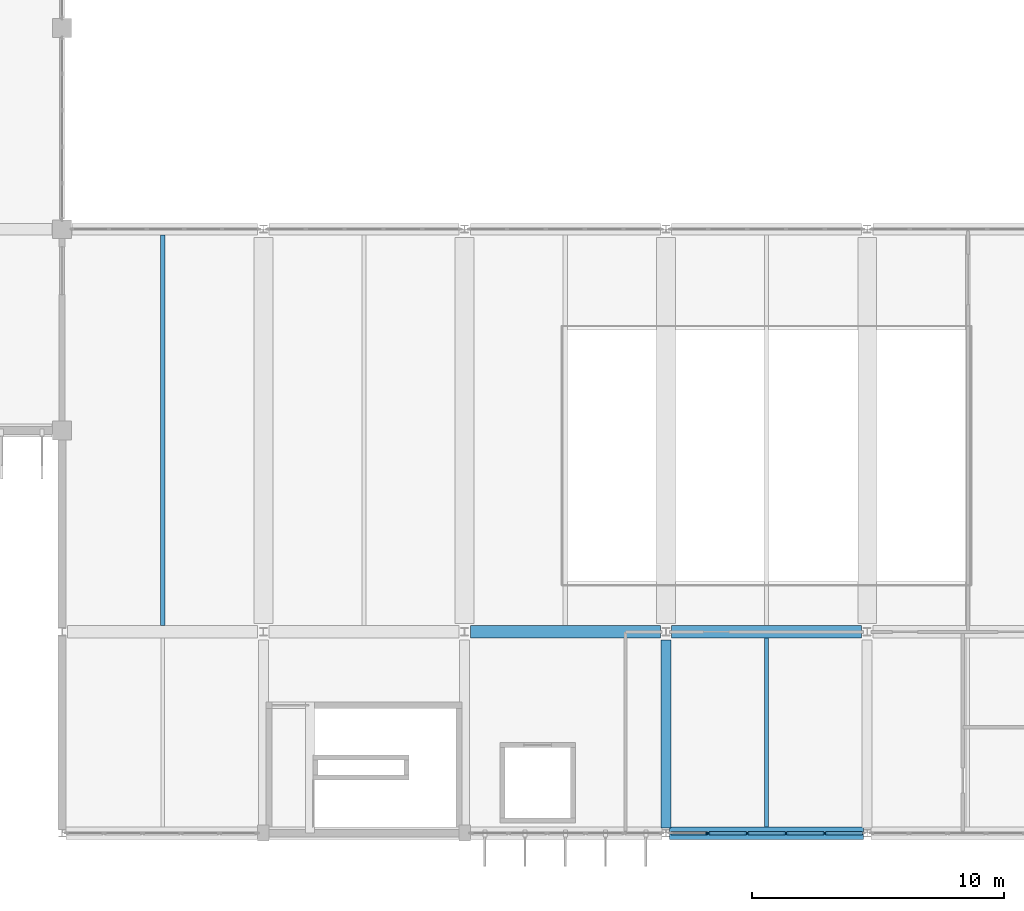
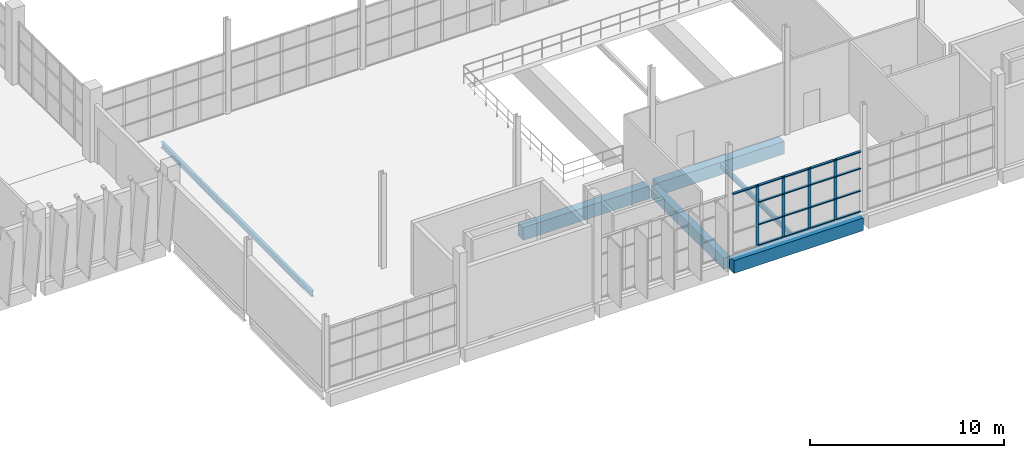
# One storey, part 18 of 93: 21 members, 6 beams, 1 element without a shape of its own.
"""IFC4 building model written with IfcOpenShell, lengths in metres."""

from ifc_helpers import new_model, si_unit, direction, frame, origin, origin_2d, place, context, subcontext, project, spatial, rectangle, i_section, extrude, material, layer, layer_set, material_profile, profile_set, type_object, element, aggregate, save


model = new_model("IFC4")

# Units and contexts
model_context = context("Model", 3, precision=1e-05, world=origin(), true_north=direction((0.0, 1.0)))
body_context = subcontext(model_context, "Body", "Model", "MODEL_VIEW")
ifc_project = project(units=[si_unit("LENGTHUNIT", "METRE"), si_unit("AREAUNIT", "SQUARE_METRE"), si_unit("VOLUMEUNIT", "CUBIC_METRE"), si_unit("PLANEANGLEUNIT", "RADIAN"), si_unit("MASSUNIT", "GRAM", prefix="KILO")], contexts=[model_context])

# Site, building, storey
site_placement = place(None, origin())
site = spatial("IfcSite", under=ifc_project, at=site_placement, CompositionType="ELEMENT")
building_placement = place(site_placement, origin())
building = spatial("IfcBuilding", under=site, at=building_placement, Name="Drelvana Railside Aquatics Centre", CompositionType="ELEMENT")
storey_placement = place(building_placement, frame((0.0, 0.0, 5.39990234375)))
storey = spatial("IfcBuildingStorey", under=building, at=storey_placement, Name="L01", CompositionType="ELEMENT", Elevation=5.39990234375)

# Curtain wall, members
ifc_material_1 = material(Name="Bronze-anodised aluminium curtain wall", Category="aluminium")
ifc_layer = layer(ifc_material_1, 0.18994140625, Name="Bronze-anodised aluminium curtain wall")
ifc_layer_set = layer_set([ifc_layer], Name="Bronze-anodised aluminium curtain wall")
curtain_wall_type = type_object("IfcCurtainWallType", Name="CW-Z4-FOYER", PredefinedType="NOTDEFINED", material=ifc_layer_set)
curtain_wall_placement = place(storey_placement, origin())
curtain_wall = element("IfcCurtainWall", 1, at=curtain_wall_placement, inside=storey, type_object=curtain_wall_type, Name="Curtain wall CW-04-108", PredefinedType="NOTDEFINED")
ifc_material_2 = material(Name="Bronze-anodised aluminium 6063-T6", Category="aluminium")
ifc_material_profile_1 = material_profile(ifc_material_2, rectangle(XDim=0.06494140625, YDim=0.175048828125, at=origin_2d()), Name="ALU-M 65x175")
ifc_profile_set_1 = profile_set([ifc_material_profile_1], Name="Bronze-anodised aluminium 6063-T6")
member_type_1 = type_object("IfcMemberType", Name="CW-Z4-FOYER-MUL", PredefinedType="MULLION", material=ifc_profile_set_1)
member_1_placement = place(storey_placement, frame((121.680419921875, 0.0, -0.005859375), z_axis=(0.0, 0.0, 1.0), x_axis=(0.0, 1.0, 0.0)))
member_1 = element("IfcMember", 2, at=member_1_placement, type_object=member_type_1, Name="CW-04 mullion 2", PredefinedType="MULLION", context=body_context, shape_type="SweptSolid", body=[
    extrude(rectangle(XDim=0.06494140625, YDim=0.175048828125, at=origin_2d()), origin(), (0.0, 0.0, 1.0), 3.805908203125),
])
member_2_placement = place(storey_placement, frame((123.226806640625, 0.0, -0.005859375), z_axis=(0.0, 0.0, 1.0), x_axis=(0.0, 1.0, 0.0)))
member_2 = element("IfcMember", 3, at=member_2_placement, type_object=member_type_1, Name="CW-04 mullion 3", PredefinedType="MULLION", context=body_context, shape_type="SweptSolid", body=[
    extrude(rectangle(XDim=0.06494140625, YDim=0.175048828125, at=origin_2d()), origin(), (0.0, 0.0, 1.0), 3.805908203125),
])
member_3_placement = place(storey_placement, frame((124.773193359375, 0.0, -0.005859375), z_axis=(0.0, 0.0, 1.0), x_axis=(0.0, 1.0, 0.0)))
member_3 = element("IfcMember", 4, at=member_3_placement, type_object=member_type_1, Name="CW-04 mullion 4", PredefinedType="MULLION", context=body_context, shape_type="SweptSolid", body=[
    extrude(rectangle(XDim=0.06494140625, YDim=0.175048828125, at=origin_2d()), origin(), (0.0, 0.0, 1.0), 3.805908203125),
])
member_4_placement = place(storey_placement, frame((126.319580078125, 0.0, -0.005859375), z_axis=(0.0, 0.0, 1.0), x_axis=(0.0, 1.0, 0.0)))
member_4 = element("IfcMember", 5, at=member_4_placement, type_object=member_type_1, Name="CW-04 mullion 5", PredefinedType="MULLION", context=body_context, shape_type="SweptSolid", body=[
    extrude(rectangle(XDim=0.06494140625, YDim=0.175048828125, at=origin_2d()), origin(), (0.0, 0.0, 1.0), 3.805908203125),
])
ifc_material_profile_2 = material_profile(ifc_material_2, rectangle(XDim=0.139892578125, YDim=0.06494140625, at=origin_2d()), Name="ALU-T 65x140")
ifc_profile_set_2 = profile_set([ifc_material_profile_2], Name="Bronze-anodised aluminium 6063-T6")
member_type_2 = type_object("IfcMemberType", Name="CW-Z4-FOYER-TRN", PredefinedType="USERDEFINED", material=ifc_profile_set_2)
member_5_placement = place(storey_placement, frame((120.194091796875, 0.0, 3.767578125), z_axis=(1.0, 0.0, 0.0), x_axis=(0.0, 1.0, 0.0)))
member_5 = element("IfcMember", 6, at=member_5_placement, type_object=member_type_2, Name="CW-04 transom 1.4", ObjectType="TRANSOM", PredefinedType="USERDEFINED", context=body_context, shape_type="SweptSolid", body=[
    extrude(rectangle(XDim=0.139892578125, YDim=0.06494140625, at=origin_2d()), origin(), (0.0, 0.0, 1.0), 1.458740234375),
])
member_6_placement = place(storey_placement, frame((121.7080078125, 0.0, 0.026611328125), z_axis=(1.0, 0.0, 0.0), x_axis=(0.0, 1.0, 0.0)))
member_6 = element("IfcMember", 7, at=member_6_placement, type_object=member_type_2, Name="CW-04 transom 2.1", ObjectType="TRANSOM", PredefinedType="USERDEFINED", context=body_context, shape_type="SweptSolid", body=[
    extrude(rectangle(XDim=0.139892578125, YDim=0.06494140625, at=origin_2d()), origin(), (0.0, 0.0, 1.0), 1.4912109375),
])
member_7_placement = place(storey_placement, frame((121.7080078125, 0.0, 1.326171875), z_axis=(1.0, 0.0, 0.0), x_axis=(0.0, 1.0, 0.0)))
member_7 = element("IfcMember", 8, at=member_7_placement, type_object=member_type_2, Name="CW-04 transom 2.2", ObjectType="TRANSOM", PredefinedType="USERDEFINED", context=body_context, shape_type="SweptSolid", body=[
    extrude(rectangle(XDim=0.139892578125, YDim=0.06494140625, at=origin_2d()), origin(), (0.0, 0.0, 1.0), 1.4912109375),
])
member_8_placement = place(storey_placement, frame((121.7080078125, 0.0, 2.734130859375), z_axis=(1.0, 0.0, 0.0), x_axis=(0.0, 1.0, 0.0)))
member_8 = element("IfcMember", 9, at=member_8_placement, type_object=member_type_2, Name="CW-04 transom 2.3", ObjectType="TRANSOM", PredefinedType="USERDEFINED", context=body_context, shape_type="SweptSolid", body=[
    extrude(rectangle(XDim=0.139892578125, YDim=0.06494140625, at=origin_2d()), origin(), (0.0, 0.0, 1.0), 1.4912109375),
])
member_9_placement = place(storey_placement, frame((121.7080078125, 0.0, 3.767578125), z_axis=(1.0, 0.0, 0.0), x_axis=(0.0, 1.0, 0.0)))
member_9 = element("IfcMember", 10, at=member_9_placement, type_object=member_type_2, Name="CW-04 transom 2.4", ObjectType="TRANSOM", PredefinedType="USERDEFINED", context=body_context, shape_type="SweptSolid", body=[
    extrude(rectangle(XDim=0.139892578125, YDim=0.06494140625, at=origin_2d()), origin(), (0.0, 0.0, 1.0), 1.4912109375),
])
member_10_placement = place(storey_placement, frame((123.25439453125, 0.0, 0.026611328125), z_axis=(1.0, 0.0, 0.0), x_axis=(0.0, 1.0, 0.0)))
member_10 = element("IfcMember", 11, at=member_10_placement, type_object=member_type_2, Name="CW-04 transom 3.1", ObjectType="TRANSOM", PredefinedType="USERDEFINED", context=body_context, shape_type="SweptSolid", body=[
    extrude(rectangle(XDim=0.139892578125, YDim=0.06494140625, at=origin_2d()), origin(), (0.0, 0.0, 1.0), 1.4912109375),
])
member_11_placement = place(storey_placement, frame((123.25439453125, 0.0, 1.326171875), z_axis=(1.0, 0.0, 0.0), x_axis=(0.0, 1.0, 0.0)))
member_11 = element("IfcMember", 12, at=member_11_placement, type_object=member_type_2, Name="CW-04 transom 3.2", ObjectType="TRANSOM", PredefinedType="USERDEFINED", context=body_context, shape_type="SweptSolid", body=[
    extrude(rectangle(XDim=0.139892578125, YDim=0.06494140625, at=origin_2d()), origin(), (0.0, 0.0, 1.0), 1.4912109375),
])
member_12_placement = place(storey_placement, frame((123.25439453125, 0.0, 2.734130859375), z_axis=(1.0, 0.0, 0.0), x_axis=(0.0, 1.0, 0.0)))
member_12 = element("IfcMember", 13, at=member_12_placement, type_object=member_type_2, Name="CW-04 transom 3.3", ObjectType="TRANSOM", PredefinedType="USERDEFINED", context=body_context, shape_type="SweptSolid", body=[
    extrude(rectangle(XDim=0.139892578125, YDim=0.06494140625, at=origin_2d()), origin(), (0.0, 0.0, 1.0), 1.4912109375),
])
member_13_placement = place(storey_placement, frame((123.25439453125, 0.0, 3.767578125), z_axis=(1.0, 0.0, 0.0), x_axis=(0.0, 1.0, 0.0)))
member_13 = element("IfcMember", 14, at=member_13_placement, type_object=member_type_2, Name="CW-04 transom 3.4", ObjectType="TRANSOM", PredefinedType="USERDEFINED", context=body_context, shape_type="SweptSolid", body=[
    extrude(rectangle(XDim=0.139892578125, YDim=0.06494140625, at=origin_2d()), origin(), (0.0, 0.0, 1.0), 1.4912109375),
])
member_14_placement = place(storey_placement, frame((124.80078125, 0.0, 0.026611328125), z_axis=(1.0, 0.0, 0.0), x_axis=(0.0, 1.0, 0.0)))
member_14 = element("IfcMember", 15, at=member_14_placement, type_object=member_type_2, Name="CW-04 transom 4.1", ObjectType="TRANSOM", PredefinedType="USERDEFINED", context=body_context, shape_type="SweptSolid", body=[
    extrude(rectangle(XDim=0.139892578125, YDim=0.06494140625, at=origin_2d()), origin(), (0.0, 0.0, 1.0), 1.4912109375),
])
member_15_placement = place(storey_placement, frame((124.80078125, 0.0, 1.326171875), z_axis=(1.0, 0.0, 0.0), x_axis=(0.0, 1.0, 0.0)))
member_15 = element("IfcMember", 16, at=member_15_placement, type_object=member_type_2, Name="CW-04 transom 4.2", ObjectType="TRANSOM", PredefinedType="USERDEFINED", context=body_context, shape_type="SweptSolid", body=[
    extrude(rectangle(XDim=0.139892578125, YDim=0.06494140625, at=origin_2d()), origin(), (0.0, 0.0, 1.0), 1.4912109375),
])
member_16_placement = place(storey_placement, frame((124.80078125, 0.0, 2.734130859375), z_axis=(1.0, 0.0, 0.0), x_axis=(0.0, 1.0, 0.0)))
member_16 = element("IfcMember", 17, at=member_16_placement, type_object=member_type_2, Name="CW-04 transom 4.3", ObjectType="TRANSOM", PredefinedType="USERDEFINED", context=body_context, shape_type="SweptSolid", body=[
    extrude(rectangle(XDim=0.139892578125, YDim=0.06494140625, at=origin_2d()), origin(), (0.0, 0.0, 1.0), 1.4912109375),
])
member_17_placement = place(storey_placement, frame((124.80078125, 0.0, 3.767578125), z_axis=(1.0, 0.0, 0.0), x_axis=(0.0, 1.0, 0.0)))
member_17 = element("IfcMember", 18, at=member_17_placement, type_object=member_type_2, Name="CW-04 transom 4.4", ObjectType="TRANSOM", PredefinedType="USERDEFINED", context=body_context, shape_type="SweptSolid", body=[
    extrude(rectangle(XDim=0.139892578125, YDim=0.06494140625, at=origin_2d()), origin(), (0.0, 0.0, 1.0), 1.4912109375),
])
member_18_placement = place(storey_placement, frame((126.34716796875, 0.0, 0.026611328125), z_axis=(1.0, 0.0, 0.0), x_axis=(0.0, 1.0, 0.0)))
member_18 = element("IfcMember", 19, at=member_18_placement, type_object=member_type_2, Name="CW-04 transom 5.1", ObjectType="TRANSOM", PredefinedType="USERDEFINED", context=body_context, shape_type="SweptSolid", body=[
    extrude(rectangle(XDim=0.139892578125, YDim=0.06494140625, at=origin_2d()), origin(), (0.0, 0.0, 1.0), 1.458740234375),
])
member_19_placement = place(storey_placement, frame((126.34716796875, 0.0, 1.326171875), z_axis=(1.0, 0.0, 0.0), x_axis=(0.0, 1.0, 0.0)))
member_19 = element("IfcMember", 20, at=member_19_placement, type_object=member_type_2, Name="CW-04 transom 5.2", ObjectType="TRANSOM", PredefinedType="USERDEFINED", context=body_context, shape_type="SweptSolid", body=[
    extrude(rectangle(XDim=0.139892578125, YDim=0.06494140625, at=origin_2d()), origin(), (0.0, 0.0, 1.0), 1.458740234375),
])
member_20_placement = place(storey_placement, frame((126.34716796875, 0.0, 2.734130859375), z_axis=(1.0, 0.0, 0.0), x_axis=(0.0, 1.0, 0.0)))
member_20 = element("IfcMember", 21, at=member_20_placement, type_object=member_type_2, Name="CW-04 transom 5.3", ObjectType="TRANSOM", PredefinedType="USERDEFINED", context=body_context, shape_type="SweptSolid", body=[
    extrude(rectangle(XDim=0.139892578125, YDim=0.06494140625, at=origin_2d()), origin(), (0.0, 0.0, 1.0), 1.458740234375),
])
member_21_placement = place(storey_placement, frame((126.34716796875, 0.0, 3.767578125), z_axis=(1.0, 0.0, 0.0), x_axis=(0.0, 1.0, 0.0)))
member_21 = element("IfcMember", 22, at=member_21_placement, type_object=member_type_2, Name="CW-04 transom 5.4", ObjectType="TRANSOM", PredefinedType="USERDEFINED", context=body_context, shape_type="SweptSolid", body=[
    extrude(rectangle(XDim=0.139892578125, YDim=0.06494140625, at=origin_2d()), origin(), (0.0, 0.0, 1.0), 1.458740234375),
])
aggregate(curtain_wall, [member_1, member_2, member_3, member_4, member_5, member_6, member_7, member_8, member_9, member_10, member_11, member_12, member_13, member_14, member_15, member_16, member_17, member_18, member_19, member_20, member_21])

# Beams
ifc_material_3 = material(Name="Concrete C40/50", Category="concrete")
ifc_material_profile_3 = material_profile(ifc_material_3, rectangle(XDim=0.39990234375, YDim=0.699951171875, at=origin_2d()), Name="RC 400x700")
ifc_profile_set_3 = profile_set([ifc_material_profile_3], Name="Concrete C40/50")
beam_type_1 = type_object("IfcBeamType", Name="STR-BM-BM-03-RC-400x700", PredefinedType="BEAM", material=ifc_profile_set_3)
beam_1_placement = place(storey_placement, frame((120.0, 0.199951171875, -0.625), z_axis=(0.0, 1.0, 0.0), x_axis=(-1.0, 0.0, 0.0)))
element("IfcBeam", 23, at=beam_1_placement, inside=storey, type_object=beam_type_1, Name="Girder BM-03 (L01)", PredefinedType="BEAM", context=body_context, shape_type="SweptSolid", body=[
    extrude(rectangle(XDim=0.39990234375, YDim=0.699951171875, at=origin_2d()), origin(), (0.0, 0.0, 1.0), 7.47509765625),
])
ifc_material_profile_4 = material_profile(ifc_material_3, rectangle(XDim=0.5, YDim=0.800048828125, at=origin_2d()), Name="RC 500x800")
ifc_profile_set_4 = profile_set([ifc_material_profile_4], Name="Concrete C40/50")
beam_type_2 = type_object("IfcBeamType", Name="STR-BM-BM-06-RC-500x800", PredefinedType="SPANDREL", material=ifc_profile_set_4)
beam_2_placement = place(storey_placement, frame((120.14990234375, 0.0, -0.6748046875), z_axis=(1.0, 0.0, 0.0), x_axis=(0.0, 1.0, 0.0)))
element("IfcBeam", 24, at=beam_2_placement, inside=storey, type_object=beam_type_2, Name="Girder BM-06 (L01)", PredefinedType="SPANDREL", context=body_context, shape_type="SweptSolid", body=[
    extrude(rectangle(XDim=0.5, YDim=0.800048828125, at=origin_2d()), origin(), (0.0, 0.0, 1.0), 7.7001953125),
])
for number, where, z_axis, x_axis, name in (
    (25, (112.22509765625, 8.0, -0.6748046875), (1.0, 0.0, 0.0), (0.0, 1.0, 0.0), "Girder BM-06 (L01)"),
    (26, (120.22509765625, 8.0, -0.6748046875), (1.0, 0.0, 0.0), (0.0, 1.0, 0.0), "Girder BM-06 (L01)"),
):
    element("IfcBeam", number, at=place(storey_placement, frame(where, z_axis=z_axis, x_axis=x_axis)), inside=storey, type_object=beam_type_2, Name=name, PredefinedType="SPANDREL", context=body_context, shape_type="SweptSolid", body=[
        extrude(rectangle(XDim=0.5, YDim=0.800048828125, at=origin_2d()), origin(), (0.0, 0.0, 1.0), 7.5498046875),
    ])
ifc_material_4 = material(Name="Structural steel S355", Category="steel")
ifc_material_profile_5 = material_profile(ifc_material_4, i_section(OverallWidth=0.14990234375, OverallDepth=0.300048828125, WebThickness=0.007080078125, FlangeThickness=0.0107421875, at=origin_2d()), Name="IPE 300")
ifc_profile_set_5 = profile_set([ifc_material_profile_5], Name="Structural steel S355")
beam_type_3 = type_object("IfcBeamType", Name="STR-SBM-SJ-03-IPE-300", PredefinedType="JOIST", material=ifc_profile_set_5)
beam_3_placement = place(storey_placement, frame((124.0, 0.25, -0.4248046875), z_axis=(0.0, 1.0, 0.0), x_axis=(-1.0, 0.0, 0.0)))
element("IfcBeam", 27, at=beam_3_placement, inside=storey, type_object=beam_type_3, Name="Secondary floor joist SJ-03 (L01)", PredefinedType="JOIST", context=body_context, shape_type="SweptSolid", body=[
    extrude(i_section(OverallWidth=0.14990234375, OverallDepth=0.300048828125, WebThickness=0.007080078125, FlangeThickness=0.0107421875, at=origin_2d()), origin(), (0.0, 0.0, 1.0), 7.5),
])
ifc_material_profile_6 = material_profile(ifc_material_4, i_section(OverallWidth=0.169921875, OverallDepth=0.360107421875, WebThickness=0.008056640625, FlangeThickness=0.0126953125, at=origin_2d()), Name="IPE 360")
ifc_profile_set_6 = profile_set([ifc_material_profile_6], Name="Structural steel S355")
beam_type_4 = type_object("IfcBeamType", Name="STR-SBM-SJ-05-IPE-360", PredefinedType="JOIST", material=ifc_profile_set_6)
beam_4_placement = place(storey_placement, frame((100.0, 8.25, -0.454833984375), z_axis=(0.0, 1.0, 0.0), x_axis=(-1.0, 0.0, 0.0)))
element("IfcBeam", 28, at=beam_4_placement, inside=storey, type_object=beam_type_4, Name="Secondary floor joist SJ-05 (L01)", PredefinedType="JOIST", context=body_context, shape_type="SweptSolid", body=[
    extrude(i_section(OverallWidth=0.169921875, OverallDepth=0.360107421875, WebThickness=0.008056640625, FlangeThickness=0.0126953125, at=origin_2d()), origin(), (0.0, 0.0, 1.0), 15.52490234375),
])

save(model, "model.ifc")
